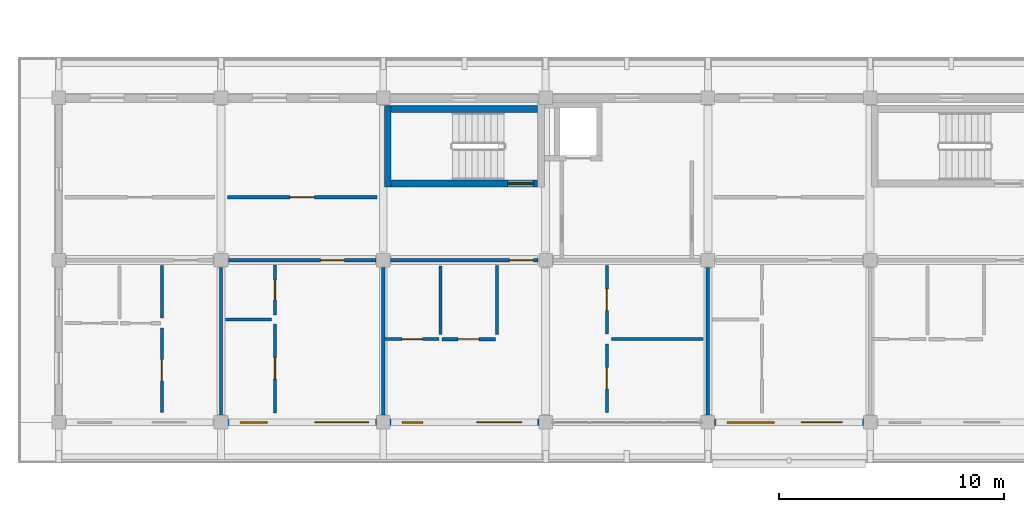
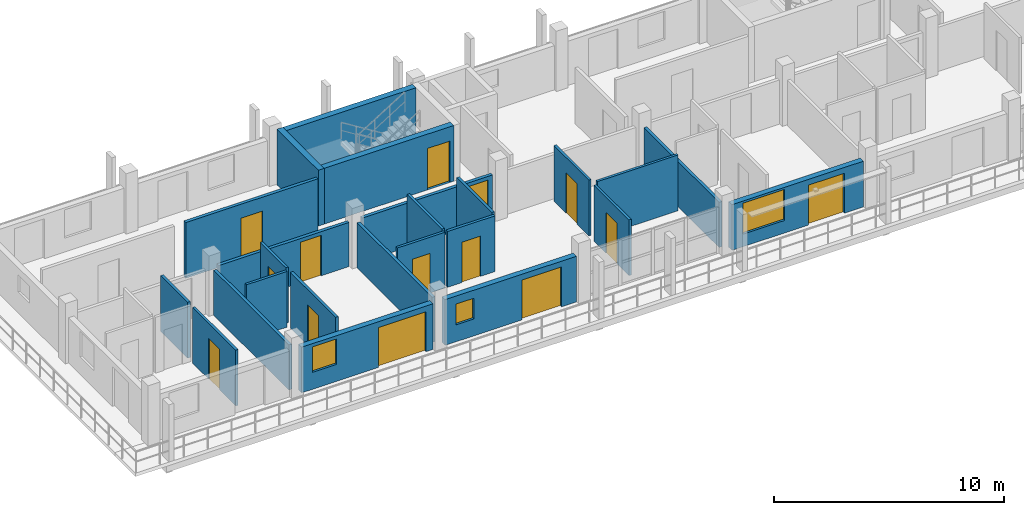
# One storey, part 128 of 157: 24 walls, 14 doors, 3 windows, 17 openings.
"""IFC4 building model written with IfcOpenShell, lengths in metres."""

from ifc_helpers import new_model, si_unit, direction, frame, frame_2d, origin, place, context, subcontext, project, spatial, rectangle, extrude, material, layer, layer_set, type_object, element, fill, save


model = new_model("IFC4")

# Units and contexts
model_context = context("Model", 3, precision=1e-05, world=origin(), true_north=direction((0.0, 1.0)))
body_context = subcontext(model_context, "Body", "Model", "MODEL_VIEW")
ifc_project = project(units=[si_unit("LENGTHUNIT", "METRE"), si_unit("AREAUNIT", "SQUARE_METRE"), si_unit("VOLUMEUNIT", "CUBIC_METRE"), si_unit("PLANEANGLEUNIT", "RADIAN"), si_unit("MASSUNIT", "GRAM", prefix="KILO")], contexts=[model_context])

# Site, building, storey
site_placement = place(None, origin())
site = spatial("IfcSite", under=ifc_project, at=site_placement, CompositionType="ELEMENT")
building_placement = place(site_placement, origin())
building = spatial("IfcBuilding", under=site, at=building_placement, Name="Suanplinth Sawtooth Commons", CompositionType="ELEMENT")
storey_placement = place(building_placement, frame((0.0, 0.0, 9.0)))
storey = spatial("IfcBuildingStorey", under=building, at=storey_placement, Name="L02", CompositionType="ELEMENT", Elevation=9.0)

# Wall, opening, door
ifc_material_1 = material(Name="Concrete C40/50", Category="concrete")
ifc_layer_1 = layer(ifc_material_1, 0.300048828125, Name="Standard RC stair and lift core wall 300mm")
ifc_layer_set_1 = layer_set([ifc_layer_1], Name="Concrete C40/50")
wall_type_1 = type_object("IfcWallType", Name="W-CR02", PredefinedType="SHEAR", material=ifc_layer_set_1)
wall_1_placement = place(storey_placement, frame((137.14990234375, 10.60009765625, 0.0), z_axis=(0.0, 0.0, 1.0), x_axis=(1.0, 0.0, 0.0)))
wall_1 = element("IfcWall", 1, at=wall_1_placement, inside=storey, type_object=wall_type_1, Name="W-L02-C-C1-STS", PredefinedType="SHEAR", context=body_context, shape_type="SweptSolid", body=[
    extrude(rectangle(XDim=6.5, YDim=0.300048828125, at=frame_2d((3.25, 0.0))), origin(), (0.0, 0.0, 1.0), 2.9599609375),
])
opening_1_placement = place(wall_1_placement, frame((5.169921875, 0.0, 0.0)))
opening_1 = element("IfcOpeningElement", 2, at=opening_1_placement, cuts=wall_1, Name="Opening FD0288", PredefinedType="OPENING", context=body_context, shape_type="SweptSolid", body=[
    extrude(rectangle(XDim=1.14990234375, YDim=2.199951171875, at=frame_2d((0.574951171875, 1.10009765625))), frame((0.0, 0.1650390625, 0.0), z_axis=(0.0, -1.0, 0.0), x_axis=(1.0, 0.0, 0.0)), (0.0, 0.0, 1.0), 0.329833984375),
])
ifc_material_2 = material(Name="Teak hardwood fire-rated door assembly", Category="wood")
door_type_1 = type_object("IfcDoorType", Name="FD-01", OperationType="NOTDEFINED", PredefinedType="DOOR", material=ifc_material_2)
door_1_placement = place(opening_1_placement, origin())
door_1 = element("IfcDoor", 3, at=door_1_placement, inside=storey, type_object=door_type_1, Name="Exit Stair Fire Door FD0288", OperationType="SINGLE_SWING_RIGHT", OverallHeight=2.199951171875, OverallWidth=1.14990234375, PredefinedType="DOOR", context=body_context, shape_type="SweptSolid", body=[
    extrude(rectangle(XDim=1.14990234375, YDim=2.199951171875, at=frame_2d((0.574951171875, 1.10009765625))), frame((0.0, 0.02490234375, 0.0), z_axis=(0.0, -1.0, 0.0), x_axis=(1.0, 0.0, 0.0)), (0.0, 0.0, 1.0), 0.050048828125),
])
fill(opening_1, door_1)

# Walls
wall_2_placement = place(storey_placement, frame((137.14990234375, 13.89990234375, 0.0), z_axis=(0.0, 0.0, 1.0), x_axis=(1.0, 0.0, 0.0)))
element("IfcWall", 4, at=wall_2_placement, inside=storey, type_object=wall_type_1, Name="W-L02-C-C1-STN", PredefinedType="SHEAR", context=body_context, shape_type="SweptSolid", body=[
    extrude(rectangle(XDim=6.5, YDim=0.300048828125, at=frame_2d((3.25, 0.0))), origin(), (0.0, 0.0, 1.0), 2.9599609375),
])
wall_3_placement = place(storey_placement, frame((137.0, 10.449951171875, 0.0), z_axis=(0.0, 0.0, 1.0), x_axis=(0.0, 1.0, 0.0)))
element("IfcWall", 5, at=wall_3_placement, inside=storey, type_object=wall_type_1, Name="W-L02-C-C1-STW", PredefinedType="SHEAR", context=body_context, shape_type="SweptSolid", body=[
    extrude(rectangle(XDim=3.60009765625, YDim=0.300048828125, at=frame_2d((1.800048828125, 0.0))), origin(), (0.0, 0.0, 1.0), 2.9599609375),
])

# Wall, openings, door, window
ifc_material_3 = material(Name="Precast concrete C40/50", Category="concrete")
ifc_layer_2 = layer(ifc_material_3, 0.280029296875, Name="Insulated precast architectural facade wall 280mm")
ifc_layer_set_2 = layer_set([ifc_layer_2], Name="Precast concrete C40/50")
wall_type_2 = type_object("IfcWallType", Name="W-EX01", PredefinedType="ELEMENTEDWALL", material=ifc_layer_set_2)
wall_4_placement = place(storey_placement, frame((129.89990234375, 0.0, 0.0), z_axis=(0.0, 0.0, 1.0), x_axis=(1.0, 0.0, 0.0)))
wall_4 = element("IfcWall", 6, at=wall_4_placement, inside=storey, type_object=wall_type_2, Name="Facade Wall W-L02-C-S-18-0", PredefinedType="ELEMENTEDWALL", context=body_context, shape_type="SweptSolid", body=[
    extrude(rectangle(XDim=6.60009765625, YDim=0.280029296875, at=frame_2d((3.300048828125, 0.0))), origin(), (0.0, 0.0, 1.0), 2.425048828125),
])
opening_2_placement = place(wall_4_placement, frame((3.85009765625, 0.0, 0.0)))
opening_2 = element("IfcOpeningElement", 7, at=opening_2_placement, cuts=wall_4, Name="Opening ED0180", PredefinedType="OPENING", context=body_context, shape_type="SweptSolid", body=[
    extrude(rectangle(XDim=2.39990234375, YDim=2.1201171875, at=frame_2d((1.199951171875, 1.06005859375))), frame((0.0, 0.15478515625, 0.0), z_axis=(0.0, -1.0, 0.0), x_axis=(1.0, 0.0, 0.0)), (0.0, 0.0, 1.0), 0.309814453125),
])
opening_3_placement = place(wall_4_placement, frame((0.550048828125, 0.0, 0.89990234375)))
opening_3 = element("IfcOpeningElement", 8, at=opening_3_placement, cuts=wall_4, Name="Opening W0294", PredefinedType="OPENING", context=body_context, shape_type="SweptSolid", body=[
    extrude(rectangle(XDim=1.199951171875, YDim=1.35009765625, at=frame_2d((0.60009765625, 0.675048828125))), frame((0.0, 0.15478515625, 0.0), z_axis=(0.0, -1.0, 0.0), x_axis=(1.0, 0.0, 0.0)), (0.0, 0.0, 1.0), 0.309814453125),
])
ifc_material_4 = material(Name="Anodized aluminium and low-E glass", Category="aluminium")
door_type_2 = type_object("IfcDoorType", Name="SD-04", OperationType="DOUBLE_DOOR_SLIDING", PredefinedType="DOOR", material=ifc_material_4)
door_2_placement = place(opening_2_placement, frame((2.39990234375, 0.0, 0.0), z_axis=(0.0, 0.0, 1.0), x_axis=(-1.0, 0.0, 0.0)))
door_2 = element("IfcDoor", 9, at=door_2_placement, inside=storey, type_object=door_type_2, Name="Balcony Sliding Door L02-C-18", OperationType="DOUBLE_DOOR_SLIDING", OverallHeight=2.1201171875, OverallWidth=2.39990234375, PredefinedType="DOOR", context=body_context, shape_type="SweptSolid", body=[
    extrude(rectangle(XDim=2.39990234375, YDim=2.1201171875, at=frame_2d((1.199951171875, 1.06005859375))), frame((0.0, 0.02490234375, 0.0), z_axis=(0.0, -1.0, 0.0), x_axis=(1.0, 0.0, 0.0)), (0.0, 0.0, 1.0), 0.050048828125),
])
fill(opening_2, door_2)
ifc_material_5 = material(Name="Thermally broken aluminium and low-E double glazing", Category="aluminium")
window_type_1 = type_object("IfcWindowType", Name="WN-03", PartitioningType="SINGLE_PANEL", PredefinedType="WINDOW", material=ifc_material_5)
window_1_placement = place(opening_3_placement, origin())
window_1 = element("IfcWindow", 10, at=window_1_placement, inside=storey, type_object=window_type_1, Name="Apartment Window L02-C-18", OverallHeight=1.35009765625, OverallWidth=1.199951171875, PartitioningType="SINGLE_PANEL", PredefinedType="WINDOW", context=body_context, shape_type="SweptSolid", body=[
    extrude(rectangle(XDim=1.199951171875, YDim=1.35009765625, at=frame_2d((0.60009765625, 0.675048828125))), frame((0.0, 0.030029296875, 0.0), z_axis=(0.0, -1.0, 0.0), x_axis=(1.0, 0.0, 0.0)), (0.0, 0.0, 1.0), 0.06005859375),
])
fill(opening_3, window_1)

wall_5_placement = place(storey_placement, frame((137.10009765625, 0.0, 0.0), z_axis=(0.0, 0.0, 1.0), x_axis=(1.0, 0.0, 0.0)))
wall_5 = element("IfcWall", 11, at=wall_5_placement, inside=storey, type_object=wall_type_2, Name="Facade Wall W-L02-C-S-19-0", PredefinedType="ELEMENTEDWALL", context=body_context, shape_type="SweptSolid", body=[
    extrude(rectangle(XDim=6.599853515625, YDim=0.280029296875, at=frame_2d((3.2998046875, 0.0))), origin(), (0.0, 0.0, 1.0), 2.425048828125),
])
opening_4_placement = place(wall_5_placement, frame((3.85009765625, 0.0, 0.0)))
opening_4 = element("IfcOpeningElement", 12, at=opening_4_placement, cuts=wall_5, Name="Opening ED0182", PredefinedType="OPENING", context=body_context, shape_type="SweptSolid", body=[
    extrude(rectangle(XDim=2.0, YDim=2.1201171875, at=frame_2d((1.0, 1.06005859375))), frame((0.0, 0.15478515625, 0.0), z_axis=(0.0, -1.0, 0.0), x_axis=(1.0, 0.0, 0.0)), (0.0, 0.0, 1.0), 0.309814453125),
])
opening_5_placement = place(wall_5_placement, frame((0.550048828125, 0.0, 0.89990234375)))
opening_5 = element("IfcOpeningElement", 13, at=opening_5_placement, cuts=wall_5, Name="Opening W0296", PredefinedType="OPENING", context=body_context, shape_type="SweptSolid", body=[
    extrude(rectangle(XDim=0.89990234375, YDim=1.10009765625, at=frame_2d((0.449951171875, 0.550048828125))), frame((0.0, 0.15478515625, 0.0), z_axis=(0.0, -1.0, 0.0), x_axis=(1.0, 0.0, 0.0)), (0.0, 0.0, 1.0), 0.309814453125),
])
door_type_3 = type_object("IfcDoorType", Name="SD-06", OperationType="DOUBLE_DOOR_SLIDING", PredefinedType="DOOR", material=ifc_material_4)
door_3_placement = place(opening_4_placement, frame((2.0, 0.0, 0.0), z_axis=(0.0, 0.0, 1.0), x_axis=(-1.0, 0.0, 0.0)))
door_3 = element("IfcDoor", 14, at=door_3_placement, inside=storey, type_object=door_type_3, Name="Balcony Sliding Door L02-C-19", OperationType="DOUBLE_DOOR_SLIDING", OverallHeight=2.1201171875, OverallWidth=2.0, PredefinedType="DOOR", context=body_context, shape_type="SweptSolid", body=[
    extrude(rectangle(XDim=2.0, YDim=2.1201171875, at=frame_2d((1.0, 1.06005859375))), frame((0.0, 0.02490234375, 0.0), z_axis=(0.0, -1.0, 0.0), x_axis=(1.0, 0.0, 0.0)), (0.0, 0.0, 1.0), 0.050048828125),
])
fill(opening_4, door_3)
window_type_2 = type_object("IfcWindowType", Name="WN-04", PartitioningType="SINGLE_PANEL", PredefinedType="WINDOW", material=ifc_material_5)
window_2_placement = place(opening_5_placement, origin())
window_2 = element("IfcWindow", 15, at=window_2_placement, inside=storey, type_object=window_type_2, Name="Apartment Window L02-C-19", OverallHeight=1.10009765625, OverallWidth=0.89990234375, PartitioningType="SINGLE_PANEL", PredefinedType="WINDOW", context=body_context, shape_type="SweptSolid", body=[
    extrude(rectangle(XDim=0.89990234375, YDim=1.10009765625, at=frame_2d((0.449951171875, 0.550048828125))), frame((0.0, 0.030029296875, 0.0), z_axis=(0.0, -1.0, 0.0), x_axis=(1.0, 0.0, 0.0)), (0.0, 0.0, 1.0), 0.06005859375),
])
fill(opening_5, window_2)

wall_6_placement = place(storey_placement, frame((151.5, 0.0, 0.0), z_axis=(0.0, 0.0, 1.0), x_axis=(1.0, 0.0, 0.0)))
wall_6 = element("IfcWall", 16, at=wall_6_placement, inside=storey, type_object=wall_type_2, Name="Facade Wall W-L02-C-S-21-0", PredefinedType="ELEMENTEDWALL", context=body_context, shape_type="SweptSolid", body=[
    extrude(rectangle(XDim=6.60009765625, YDim=0.280029296875, at=frame_2d((3.300048828125, 0.0))), origin(), (0.0, 0.0, 1.0), 2.425048828125),
])
opening_6_placement = place(wall_6_placement, frame((3.85009765625, 0.0, 0.0)))
opening_6 = element("IfcOpeningElement", 17, at=opening_6_placement, cuts=wall_6, Name="Opening ED0183", PredefinedType="OPENING", context=body_context, shape_type="SweptSolid", body=[
    extrude(rectangle(XDim=1.800048828125, YDim=2.1201171875, at=frame_2d((0.89990234375, 1.06005859375))), frame((0.0, 0.15478515625, 0.0), z_axis=(0.0, -1.0, 0.0), x_axis=(1.0, 0.0, 0.0)), (0.0, 0.0, 1.0), 0.309814453125),
])
opening_7_placement = place(wall_6_placement, frame((0.550048828125, 0.0, 0.6650390625)))
opening_7 = element("IfcOpeningElement", 18, at=opening_7_placement, cuts=wall_6, Name="Opening W0299", PredefinedType="OPENING", context=body_context, shape_type="SweptSolid", body=[
    extrude(rectangle(XDim=2.10009765625, YDim=1.64990234375, at=frame_2d((1.050048828125, 0.824951171875))), frame((0.0, 0.15478515625, 0.0), z_axis=(0.0, -1.0, 0.0), x_axis=(1.0, 0.0, 0.0)), (0.0, 0.0, 1.0), 0.309814453125),
])
door_type_4 = type_object("IfcDoorType", Name="SD-01", OperationType="SLIDING_TO_LEFT", PredefinedType="DOOR", material=ifc_material_4)
door_4_placement = place(opening_6_placement, frame((1.800048828125, 0.0, 0.0), z_axis=(0.0, 0.0, 1.0), x_axis=(-1.0, 0.0, 0.0)))
door_4 = element("IfcDoor", 19, at=door_4_placement, inside=storey, type_object=door_type_4, Name="Balcony Sliding Door L02-C-21", OperationType="SLIDING_TO_LEFT", OverallHeight=2.1201171875, OverallWidth=1.800048828125, PredefinedType="DOOR", context=body_context, shape_type="SweptSolid", body=[
    extrude(rectangle(XDim=1.800048828125, YDim=2.1201171875, at=frame_2d((0.89990234375, 1.06005859375))), frame((0.0, 0.02490234375, 0.0), z_axis=(0.0, -1.0, 0.0), x_axis=(1.0, 0.0, 0.0)), (0.0, 0.0, 1.0), 0.050048828125),
])
fill(opening_6, door_4)
window_type_3 = type_object("IfcWindowType", Name="WN-06", PartitioningType="DOUBLE_PANEL_VERTICAL", PredefinedType="WINDOW", material=ifc_material_5)
window_3_placement = place(opening_7_placement, origin())
window_3 = element("IfcWindow", 20, at=window_3_placement, inside=storey, type_object=window_type_3, Name="Apartment Window L02-C-21", OverallHeight=1.64990234375, OverallWidth=2.10009765625, PartitioningType="DOUBLE_PANEL_VERTICAL", PredefinedType="WINDOW", context=body_context, shape_type="SweptSolid", body=[
    extrude(rectangle(XDim=2.10009765625, YDim=1.64990234375, at=frame_2d((1.050048828125, 0.824951171875))), frame((0.0, 0.030029296875, 0.0), z_axis=(0.0, -1.0, 0.0), x_axis=(1.0, 0.0, 0.0)), (0.0, 0.0, 1.0), 0.06005859375),
])
fill(opening_7, window_3)

# Wall, opening, door
ifc_layer_3 = layer(ifc_material_3, 0.159912109375, Name="Fire-rated corridor and lobby wall 160mm")
ifc_layer_set_3 = layer_set([ifc_layer_3], Name="Precast concrete C40/50")
wall_type_3 = type_object("IfcWallType", Name="W-FW01", PredefinedType="PARTITIONING", material=ifc_layer_set_3)
wall_7_placement = place(storey_placement, frame((129.929931640625, 7.199951171875, 0.0), z_axis=(0.0, 0.0, 1.0), x_axis=(1.0, 0.0, 0.0)))
wall_7 = element("IfcWall", 21, at=wall_7_placement, inside=storey, type_object=wall_type_3, Name="W-C-L02-U02-COR", PredefinedType="PARTITIONING", context=body_context, shape_type="SweptSolid", body=[
    extrude(rectangle(XDim=6.5400390625, YDim=0.159912109375, at=frame_2d((3.27001953125, 0.0))), origin(), (0.0, 0.0, 1.0), 2.344970703125),
])
opening_8_placement = place(wall_7_placement, frame((4.094970703125, 0.0, 0.0)))
opening_8 = element("IfcOpeningElement", 22, at=opening_8_placement, cuts=wall_7, Name="Opening FD0791", PredefinedType="OPENING", context=body_context, shape_type="SweptSolid", body=[
    extrude(rectangle(XDim=1.050048828125, YDim=2.14990234375, at=frame_2d((0.52490234375, 1.074951171875))), frame((0.0, 0.0947265625, 0.0), z_axis=(0.0, -1.0, 0.0), x_axis=(1.0, 0.0, 0.0)), (0.0, 0.0, 1.0), 0.189697265625),
])
door_type_5 = type_object("IfcDoorType", Name="FD-04", OperationType="NOTDEFINED", PredefinedType="DOOR", material=ifc_material_2)
door_5_placement = place(opening_8_placement, frame((1.050048828125, 0.0, 0.0), z_axis=(0.0, 0.0, 1.0), x_axis=(-1.0, 0.0, 0.0)))
door_5 = element("IfcDoor", 23, at=door_5_placement, inside=storey, type_object=door_type_5, Name="Unit Entrance Door FD0791", OperationType="SINGLE_SWING_LEFT", OverallHeight=2.14990234375, OverallWidth=1.050048828125, PredefinedType="DOOR", context=body_context, shape_type="SweptSolid", body=[
    extrude(rectangle(XDim=1.050048828125, YDim=2.14990234375, at=frame_2d((0.52490234375, 1.074951171875))), frame((0.0, 0.02490234375, 0.0), z_axis=(0.0, -1.0, 0.0), x_axis=(1.0, 0.0, 0.0)), (0.0, 0.0, 1.0), 0.050048828125),
])
fill(opening_8, door_5)

wall_8_placement = place(storey_placement, frame((137.1298828125, 7.199951171875, 0.0), z_axis=(0.0, 0.0, 1.0), x_axis=(1.0, 0.0, 0.0)))
wall_8 = element("IfcWall", 24, at=wall_8_placement, inside=storey, type_object=wall_type_3, Name="W-C-L02-U03-COR-S1", PredefinedType="PARTITIONING", context=body_context, shape_type="SweptSolid", body=[
    extrude(rectangle(XDim=6.5400390625, YDim=0.159912109375, at=frame_2d((3.27001953125, 0.0))), origin(), (0.0, 0.0, 1.0), 2.344970703125),
])
opening_9_placement = place(wall_8_placement, frame((5.27490234375, 0.0, 0.0)))
opening_9 = element("IfcOpeningElement", 25, at=opening_9_placement, cuts=wall_8, Name="Opening FD0794", PredefinedType="OPENING", context=body_context, shape_type="SweptSolid", body=[
    extrude(rectangle(XDim=1.050048828125, YDim=2.14990234375, at=frame_2d((0.52490234375, 1.074951171875))), frame((0.0, 0.0947265625, 0.0), z_axis=(0.0, -1.0, 0.0), x_axis=(1.0, 0.0, 0.0)), (0.0, 0.0, 1.0), 0.189697265625),
])
door_6_placement = place(opening_9_placement, frame((1.050048828125, 0.0, 0.0), z_axis=(0.0, 0.0, 1.0), x_axis=(-1.0, 0.0, 0.0)))
door_6 = element("IfcDoor", 26, at=door_6_placement, inside=storey, type_object=door_type_5, Name="Unit Entrance Door FD0794", OperationType="SINGLE_SWING_RIGHT", OverallHeight=2.14990234375, OverallWidth=1.050048828125, PredefinedType="DOOR", context=body_context, shape_type="SweptSolid", body=[
    extrude(rectangle(XDim=1.050048828125, YDim=2.14990234375, at=frame_2d((0.52490234375, 1.074951171875))), frame((0.0, 0.02490234375, 0.0), z_axis=(0.0, -1.0, 0.0), x_axis=(1.0, 0.0, 0.0)), (0.0, 0.0, 1.0), 0.050048828125),
])
fill(opening_9, door_6)

wall_9_placement = place(storey_placement, frame((129.8798828125, 9.97998046875, 0.0), z_axis=(0.0, 0.0, 1.0), x_axis=(1.0, 0.0, 0.0)))
wall_9 = element("IfcWall", 27, at=wall_9_placement, inside=storey, type_object=wall_type_3, Name="W-C-L02-COURTROOM-50-COR", PredefinedType="PARTITIONING", context=body_context, shape_type="SweptSolid", body=[
    extrude(rectangle(XDim=6.64013671875, YDim=0.159912109375, at=frame_2d((3.320068359375, 0.0))), origin(), (0.0, 0.0, 1.0), 2.9599609375),
])
opening_10_placement = place(wall_9_placement, frame((2.780029296875, 0.0, 0.0)))
opening_10 = element("IfcOpeningElement", 28, at=opening_10_placement, cuts=wall_9, Name="Opening D0815", PredefinedType="OPENING", context=body_context, shape_type="SweptSolid", body=[
    extrude(rectangle(XDim=1.080078125, YDim=2.219970703125, at=frame_2d((0.5400390625, 1.10986328125))), frame((0.0, 0.0947265625, 0.0), z_axis=(0.0, -1.0, 0.0), x_axis=(1.0, 0.0, 0.0)), (0.0, 0.0, 1.0), 0.189697265625),
])
ifc_material_6 = material(Name="Teak hardwood", Category="wood")
door_type_6 = type_object("IfcDoorType", Name="D-17", OperationType="NOTDEFINED", PredefinedType="DOOR", material=ifc_material_6)
door_7_placement = place(opening_10_placement, origin())
door_7 = element("IfcDoor", 29, at=door_7_placement, inside=storey, type_object=door_type_6, Name="Study Studio Door D0815", OperationType="SINGLE_SWING_LEFT", OverallHeight=2.219970703125, OverallWidth=1.080078125, PredefinedType="DOOR", context=body_context, shape_type="SweptSolid", body=[
    extrude(rectangle(XDim=1.080078125, YDim=2.219970703125, at=frame_2d((0.5400390625, 1.10986328125))), frame((0.0, 0.02490234375, 0.0), z_axis=(0.0, -1.0, 0.0), x_axis=(1.0, 0.0, 0.0)), (0.0, 0.0, 1.0), 0.050048828125),
])
fill(opening_10, door_7)

# Walls
ifc_layer_4 = layer(ifc_material_3, 0.14990234375, Name="Acoustic precast party demising wall 150mm")
ifc_layer_set_4 = layer_set([ifc_layer_4], Name="Precast concrete C40/50")
wall_type_4 = type_object("IfcWallType", Name="W-FW02", PredefinedType="PARTITIONING", material=ifc_layer_set_4)
for number, where, z_axis, x_axis, name in (
    (30, (129.60009765625, 0.330078125, 0.0), (0.0, 0.0, 1.0), (0.0, 1.0, 0.0), "W-C-L02-U01-PTY"),
    (31, (136.800048828125, 0.330078125, 0.0), (0.0, 0.0, 1.0), (0.0, 1.0, 0.0), "W-C-L02-U02-PTY"),
    (32, (151.199951171875, 0.330078125, 0.0), (0.0, 0.0, 1.0), (0.0, 1.0, 0.0), "W-C-L02-U03-PTY"),
):
    element("IfcWall", number, at=place(storey_placement, frame(where, z_axis=z_axis, x_axis=x_axis)), inside=storey, type_object=wall_type_4, Name=name, PredefinedType="PARTITIONING", context=body_context, shape_type="SweptSolid", body=[
        extrude(rectangle(XDim=6.5400390625, YDim=0.14990234375, at=frame_2d((3.27001953125, 0.0))), origin(), (0.0, 0.0, 1.0), 2.39501953125),
    ])
ifc_material_7 = material(Name="Gypsum plasterboard on steel stud", Category="steel")
ifc_layer_5 = layer(ifc_material_7, 0.139892578125, Name="Fire-rated kitchen partition 140mm")
ifc_layer_set_5 = layer_set([ifc_layer_5], Name="Gypsum plasterboard on steel stud")
wall_type_5 = type_object("IfcWallType", Name="W-PT01", PredefinedType="PARTITIONING", material=ifc_layer_set_5)
wall_10_placement = place(storey_placement, frame((126.989990234375, 4.6201171875, 0.0), z_axis=(0.0, 0.0, 1.0), x_axis=(0.0, 1.0, 0.0)))
element("IfcWall", 33, at=wall_10_placement, inside=storey, type_object=wall_type_5, Name="W-C-L02-U01-KIT2", PredefinedType="PARTITIONING", context=body_context, shape_type="SweptSolid", body=[
    extrude(rectangle(XDim=2.349853515625, YDim=0.139892578125, at=frame_2d((1.1748046875, 0.0))), origin(), (0.0, 0.0, 1.0), 2.9599609375),
])

# Wall, opening, door
wall_11_placement = place(storey_placement, frame((131.9951171875, 0.419921875, 0.0), z_axis=(0.0, 0.0, 1.0), x_axis=(0.0, 1.0, 0.0)))
wall_11 = element("IfcWall", 34, at=wall_11_placement, inside=storey, type_object=wall_type_5, Name="W-C-L02-U02-KITE", PredefinedType="PARTITIONING", context=body_context, shape_type="SweptSolid", body=[
    extrude(rectangle(XDim=3.940185546875, YDim=0.139892578125, at=frame_2d((1.97021484375, 0.0))), origin(), (0.0, 0.0, 1.0), 2.9599609375),
])
opening_11_placement = place(wall_11_placement, frame((1.5048828125, 0.0, 0.0)))
opening_11 = element("IfcOpeningElement", 35, at=opening_11_placement, cuts=wall_11, Name="Opening D0793", PredefinedType="OPENING", context=body_context, shape_type="SweptSolid", body=[
    extrude(rectangle(XDim=0.929931640625, YDim=2.139892578125, at=frame_2d((0.46484375, 1.06982421875))), frame((0.0, 0.0849609375, 0.0), z_axis=(0.0, -1.0, 0.0), x_axis=(1.0, 0.0, 0.0)), (0.0, 0.0, 1.0), 0.169677734375),
])
door_type_7 = type_object("IfcDoorType", Name="D-19", OperationType="NOTDEFINED", PredefinedType="DOOR", material=ifc_material_6)
door_8_placement = place(opening_11_placement, origin())
door_8 = element("IfcDoor", 36, at=door_8_placement, inside=storey, type_object=door_type_7, Name="Kitchen Door D0793", OperationType="SINGLE_SWING_LEFT", OverallHeight=2.139892578125, OverallWidth=0.929931640625, PredefinedType="DOOR", context=body_context, shape_type="SweptSolid", body=[
    extrude(rectangle(XDim=0.929931640625, YDim=2.139892578125, at=frame_2d((0.46484375, 1.06982421875))), frame((0.0, 0.02490234375, 0.0), z_axis=(0.0, -1.0, 0.0), x_axis=(1.0, 0.0, 0.0)), (0.0, 0.0, 1.0), 0.050048828125),
])
fill(opening_11, door_8)

wall_12_placement = place(storey_placement, frame((139.39990234375, 3.68994140625, 0.0), z_axis=(0.0, 0.0, 1.0), x_axis=(1.0, 0.0, 0.0)))
wall_12 = element("IfcWall", 37, at=wall_12_placement, inside=storey, type_object=wall_type_5, Name="W-C-L02-U03-KIT1", PredefinedType="PARTITIONING", context=body_context, shape_type="SweptSolid", body=[
    extrude(rectangle(XDim=2.380126953125, YDim=0.139892578125, at=frame_2d((1.18994140625, 0.0))), origin(), (0.0, 0.0, 1.0), 2.9599609375),
])
opening_12_placement = place(wall_12_placement, frame((0.72509765625, 0.0, 0.0)))
opening_12 = element("IfcOpeningElement", 38, at=opening_12_placement, cuts=wall_12, Name="Opening D0796", PredefinedType="OPENING", context=body_context, shape_type="SweptSolid", body=[
    extrude(rectangle(XDim=0.929931640625, YDim=2.139892578125, at=frame_2d((0.46484375, 1.06982421875))), frame((0.0, 0.0849609375, 0.0), z_axis=(0.0, -1.0, 0.0), x_axis=(1.0, 0.0, 0.0)), (0.0, 0.0, 1.0), 0.169677734375),
])
door_9_placement = place(opening_12_placement, origin())
door_9 = element("IfcDoor", 39, at=door_9_placement, inside=storey, type_object=door_type_7, Name="Kitchen Door D0796", OperationType="SINGLE_SWING_RIGHT", OverallHeight=2.139892578125, OverallWidth=0.929931640625, PredefinedType="DOOR", context=body_context, shape_type="SweptSolid", body=[
    extrude(rectangle(XDim=0.929931640625, YDim=2.139892578125, at=frame_2d((0.46484375, 1.06982421875))), frame((0.0, 0.02490234375, 0.0), z_axis=(0.0, -1.0, 0.0), x_axis=(1.0, 0.0, 0.0)), (0.0, 0.0, 1.0), 0.050048828125),
])
fill(opening_12, door_9)

# Walls
wall_13_placement = place(storey_placement, frame((141.85009765625, 3.909912109375, 0.0), z_axis=(0.0, 0.0, 1.0), x_axis=(0.0, 1.0, 0.0)))
element("IfcWall", 40, at=wall_13_placement, inside=storey, type_object=wall_type_5, Name="W-C-L02-U03-KIT2", PredefinedType="PARTITIONING", context=body_context, shape_type="SweptSolid", body=[
    extrude(rectangle(XDim=3.06005859375, YDim=0.139892578125, at=frame_2d((1.530029296875, 0.0))), origin(), (0.0, 0.0, 1.0), 2.9599609375),
])
ifc_layer_6 = layer(ifc_material_7, 0.1298828125, Name="Moisture-resistant bathroom partition 130mm")
ifc_layer_set_6 = layer_set([ifc_layer_6], Name="Gypsum plasterboard on steel stud")
wall_type_6 = type_object("IfcWallType", Name="W-PT02", PredefinedType="PARTITIONING", material=ifc_layer_set_6)
wall_14_placement = place(storey_placement, frame((129.800048828125, 4.56005859375, 0.0), z_axis=(0.0, 0.0, 1.0), x_axis=(1.0, 0.0, 0.0)))
element("IfcWall", 41, at=wall_14_placement, inside=storey, type_object=wall_type_6, Name="W-C-L02-U02-STDIV", PredefinedType="PARTITIONING", context=body_context, shape_type="SweptSolid", body=[
    extrude(rectangle(XDim=2.050048828125, YDim=0.1298828125, at=frame_2d((1.02490234375, 0.0))), origin(), (0.0, 0.0, 1.0), 2.9599609375),
])

# Wall, opening, door
wall_15_placement = place(storey_placement, frame((131.9951171875, 4.760009765625, 0.0), z_axis=(0.0, 0.0, 1.0), x_axis=(0.0, 1.0, 0.0)))
wall_15 = element("IfcWall", 42, at=wall_15_placement, inside=storey, type_object=wall_type_6, Name="W-C-L02-U02-BTHE", PredefinedType="PARTITIONING", context=body_context, shape_type="SweptSolid", body=[
    extrude(rectangle(XDim=2.219970703125, YDim=0.1298828125, at=frame_2d((1.10986328125, 0.0))), origin(), (0.0, 0.0, 1.0), 2.9599609375),
])
opening_13_placement = place(wall_15_placement, frame((0.669921875, 0.0, 0.0)))
opening_13 = element("IfcOpeningElement", 43, at=opening_13_placement, cuts=wall_15, Name="Opening D0792", PredefinedType="OPENING", context=body_context, shape_type="SweptSolid", body=[
    extrude(rectangle(XDim=0.8798828125, YDim=2.10009765625, at=frame_2d((0.43994140625, 1.050048828125))), frame((0.0, 0.079833984375, 0.0), z_axis=(0.0, -1.0, 0.0), x_axis=(1.0, 0.0, 0.0)), (0.0, 0.0, 1.0), 0.15966796875),
])
door_type_8 = type_object("IfcDoorType", Name="D-14", OperationType="NOTDEFINED", PredefinedType="DOOR", material=ifc_material_6)
door_10_placement = place(opening_13_placement, origin())
door_10 = element("IfcDoor", 44, at=door_10_placement, inside=storey, type_object=door_type_8, Name="Bathroom Door D0792", OperationType="SINGLE_SWING_RIGHT", OverallHeight=2.10009765625, OverallWidth=0.8798828125, PredefinedType="DOOR", context=body_context, shape_type="SweptSolid", body=[
    extrude(rectangle(XDim=0.8798828125, YDim=2.10009765625, at=frame_2d((0.43994140625, 1.050048828125))), frame((0.0, 0.02490234375, 0.0), z_axis=(0.0, -1.0, 0.0), x_axis=(1.0, 0.0, 0.0)), (0.0, 0.0, 1.0), 0.050048828125),
])
fill(opening_13, door_10)

wall_16_placement = place(storey_placement, frame((136.8798828125, 3.695068359375, 0.0), z_axis=(0.0, 0.0, 1.0), x_axis=(1.0, 0.0, 0.0)))
wall_16 = element("IfcWall", 45, at=wall_16_placement, inside=storey, type_object=wall_type_6, Name="W-C-L02-U03-BTH1", PredefinedType="PARTITIONING", context=body_context, shape_type="SweptSolid", body=[
    extrude(rectangle(XDim=2.400146484375, YDim=0.1298828125, at=frame_2d((1.2001953125, 0.0))), origin(), (0.0, 0.0, 1.0), 2.9599609375),
])
opening_14_placement = place(wall_16_placement, frame((0.75, 0.0, 0.0)))
opening_14 = element("IfcOpeningElement", 46, at=opening_14_placement, cuts=wall_16, Name="Opening D0795", PredefinedType="OPENING", context=body_context, shape_type="SweptSolid", body=[
    extrude(rectangle(XDim=0.89990234375, YDim=2.10009765625, at=frame_2d((0.449951171875, 1.050048828125))), frame((0.0, 0.079833984375, 0.0), z_axis=(0.0, -1.0, 0.0), x_axis=(1.0, 0.0, 0.0)), (0.0, 0.0, 1.0), 0.15966796875),
])
door_type_9 = type_object("IfcDoorType", Name="D-01", OperationType="NOTDEFINED", PredefinedType="DOOR", material=ifc_material_6)
door_11_placement = place(opening_14_placement, origin())
door_11 = element("IfcDoor", 47, at=door_11_placement, inside=storey, type_object=door_type_9, Name="Bathroom Door D0795", OperationType="SINGLE_SWING_LEFT", OverallHeight=2.10009765625, OverallWidth=0.89990234375, PredefinedType="DOOR", context=body_context, shape_type="SweptSolid", body=[
    extrude(rectangle(XDim=0.89990234375, YDim=2.10009765625, at=frame_2d((0.449951171875, 1.050048828125))), frame((0.0, 0.02490234375, 0.0), z_axis=(0.0, -1.0, 0.0), x_axis=(1.0, 0.0, 0.0)), (0.0, 0.0, 1.0), 0.050048828125),
])
fill(opening_14, door_11)

# Wall
wall_17_placement = place(storey_placement, frame((139.344970703125, 3.89990234375, 0.0), z_axis=(0.0, 0.0, 1.0), x_axis=(0.0, 1.0, 0.0)))
element("IfcWall", 48, at=wall_17_placement, inside=storey, type_object=wall_type_6, Name="W-C-L02-U03-BTH2", PredefinedType="PARTITIONING", context=body_context, shape_type="SweptSolid", body=[
    extrude(rectangle(XDim=3.0400390625, YDim=0.1298828125, at=frame_2d((1.52001953125, 0.0))), origin(), (0.0, 0.0, 1.0), 2.9599609375),
])

# Wall, opening, door
ifc_layer_7 = layer(ifc_material_7, 0.1201171875, Name="Acoustic bedroom partition 120mm")
ifc_layer_set_7 = layer_set([ifc_layer_7], Name="Gypsum plasterboard on steel stud")
wall_type_7 = type_object("IfcWallType", Name="W-PT03", PredefinedType="PARTITIONING", material=ifc_layer_set_7)
wall_18_placement = place(storey_placement, frame((126.97998046875, 0.43994140625, 0.0), z_axis=(0.0, 0.0, 1.0), x_axis=(0.0, 1.0, 0.0)))
wall_18 = element("IfcWall", 49, at=wall_18_placement, inside=storey, type_object=wall_type_7, Name="W-C-L02-U01-BED1", PredefinedType="PARTITIONING", context=body_context, shape_type="SweptSolid", body=[
    extrude(rectangle(XDim=3.75, YDim=0.1201171875, at=frame_2d((1.875, 0.0))), origin(), (0.0, 0.0, 1.0), 2.9599609375),
])
opening_15_placement = place(wall_18_placement, frame((1.39990234375, 0.0, 0.0)))
opening_15 = element("IfcOpeningElement", 50, at=opening_15_placement, cuts=wall_18, Name="Opening D0790", PredefinedType="OPENING", context=body_context, shape_type="SweptSolid", body=[
    extrude(rectangle(XDim=0.949951171875, YDim=2.14990234375, at=frame_2d((0.47509765625, 1.074951171875))), frame((0.0, 0.074951171875, 0.0), z_axis=(0.0, -1.0, 0.0), x_axis=(1.0, 0.0, 0.0)), (0.0, 0.0, 1.0), 0.14990234375),
])
door_type_10 = type_object("IfcDoorType", Name="D-03", OperationType="NOTDEFINED", PredefinedType="DOOR", material=ifc_material_6)
door_12_placement = place(opening_15_placement, origin())
door_12 = element("IfcDoor", 51, at=door_12_placement, inside=storey, type_object=door_type_10, Name="Bedroom Door D0790", OperationType="SINGLE_SWING_RIGHT", OverallHeight=2.14990234375, OverallWidth=0.949951171875, PredefinedType="DOOR", context=body_context, shape_type="SweptSolid", body=[
    extrude(rectangle(XDim=0.949951171875, YDim=2.14990234375, at=frame_2d((0.47509765625, 1.074951171875))), frame((0.0, 0.02490234375, 0.0), z_axis=(0.0, -1.0, 0.0), x_axis=(1.0, 0.0, 0.0)), (0.0, 0.0, 1.0), 0.050048828125),
])
fill(opening_15, door_12)

wall_19_placement = place(storey_placement, frame((146.719970703125, 0.43994140625, 0.0), z_axis=(0.0, 0.0, 1.0), x_axis=(0.0, 1.0, 0.0)))
wall_19 = element("IfcWall", 52, at=wall_19_placement, inside=storey, type_object=wall_type_7, Name="W-C-L02-U03-BED1", PredefinedType="PARTITIONING", context=body_context, shape_type="SweptSolid", body=[
    extrude(rectangle(XDim=3.0400390625, YDim=0.1201171875, at=frame_2d((1.52001953125, 0.0))), origin(), (0.0, 0.0, 1.0), 2.9599609375),
])
opening_16_placement = place(wall_19_placement, frame((1.044921875, 0.0, 0.0)))
opening_16 = element("IfcOpeningElement", 53, at=opening_16_placement, cuts=wall_19, Name="Opening D0797", PredefinedType="OPENING", context=body_context, shape_type="SweptSolid", body=[
    extrude(rectangle(XDim=0.949951171875, YDim=2.14990234375, at=frame_2d((0.47509765625, 1.074951171875))), frame((0.0, 0.074951171875, 0.0), z_axis=(0.0, -1.0, 0.0), x_axis=(1.0, 0.0, 0.0)), (0.0, 0.0, 1.0), 0.14990234375),
])
door_13_placement = place(opening_16_placement, frame((0.949951171875, 0.0, 0.0), z_axis=(0.0, 0.0, 1.0), x_axis=(-1.0, 0.0, 0.0)))
door_13 = element("IfcDoor", 54, at=door_13_placement, inside=storey, type_object=door_type_10, Name="Bedroom Door D0797", OperationType="SINGLE_SWING_LEFT", OverallHeight=2.14990234375, OverallWidth=0.949951171875, PredefinedType="DOOR", context=body_context, shape_type="SweptSolid", body=[
    extrude(rectangle(XDim=0.949951171875, YDim=2.14990234375, at=frame_2d((0.47509765625, 1.074951171875))), frame((0.0, 0.02490234375, 0.0), z_axis=(0.0, -1.0, 0.0), x_axis=(1.0, 0.0, 0.0)), (0.0, 0.0, 1.0), 0.050048828125),
])
fill(opening_16, door_13)

wall_20_placement = place(storey_placement, frame((146.719970703125, 3.919921875, 0.0), z_axis=(0.0, 0.0, 1.0), x_axis=(0.0, 1.0, 0.0)))
wall_20 = element("IfcWall", 55, at=wall_20_placement, inside=storey, type_object=wall_type_7, Name="W-C-L02-U03-BED2", PredefinedType="PARTITIONING", context=body_context, shape_type="SweptSolid", body=[
    extrude(rectangle(XDim=3.0400390625, YDim=0.1201171875, at=frame_2d((1.52001953125, 0.0))), origin(), (0.0, 0.0, 1.0), 2.9599609375),
])
opening_17_placement = place(wall_20_placement, frame((1.0400390625, 0.0, 0.0)))
opening_17 = element("IfcOpeningElement", 56, at=opening_17_placement, cuts=wall_20, Name="Opening D0798", PredefinedType="OPENING", context=body_context, shape_type="SweptSolid", body=[
    extrude(rectangle(XDim=0.9599609375, YDim=2.14990234375, at=frame_2d((0.47998046875, 1.074951171875))), frame((0.0, 0.074951171875, 0.0), z_axis=(0.0, -1.0, 0.0), x_axis=(1.0, 0.0, 0.0)), (0.0, 0.0, 1.0), 0.14990234375),
])
door_type_11 = type_object("IfcDoorType", Name="D-13", OperationType="NOTDEFINED", PredefinedType="DOOR", material=ifc_material_6)
door_14_placement = place(opening_17_placement, frame((0.9599609375, 0.0, 0.0), z_axis=(0.0, 0.0, 1.0), x_axis=(-1.0, 0.0, 0.0)))
door_14 = element("IfcDoor", 57, at=door_14_placement, inside=storey, type_object=door_type_11, Name="Second Bedroom Door D0798", OperationType="SINGLE_SWING_RIGHT", OverallHeight=2.14990234375, OverallWidth=0.9599609375, PredefinedType="DOOR", context=body_context, shape_type="SweptSolid", body=[
    extrude(rectangle(XDim=0.9599609375, YDim=2.14990234375, at=frame_2d((0.47998046875, 1.074951171875))), frame((0.0, 0.02490234375, 0.0), z_axis=(0.0, -1.0, 0.0), x_axis=(1.0, 0.0, 0.0)), (0.0, 0.0, 1.0), 0.050048828125),
])
fill(opening_17, door_14)

# Wall
ifc_layer_8 = layer(ifc_material_7, 0.125, Name="Acoustic study partition 125mm")
ifc_layer_set_8 = layer_set([ifc_layer_8], Name="Gypsum plasterboard on steel stud")
wall_type_8 = type_object("IfcWallType", Name="W-PT06", PredefinedType="PARTITIONING", material=ifc_layer_set_8)
wall_21_placement = place(storey_placement, frame((146.919921875, 3.699951171875, 0.0), z_axis=(0.0, 0.0, 1.0), x_axis=(1.0, 0.0, 0.0)))
element("IfcWall", 58, at=wall_21_placement, inside=storey, type_object=wall_type_8, Name="W-C-L02-U03-BEDDIV", PredefinedType="PARTITIONING", context=body_context, shape_type="SweptSolid", body=[
    extrude(rectangle(XDim=4.06005859375, YDim=0.125, at=frame_2d((2.030029296875, 0.0))), origin(), (0.0, 0.0, 1.0), 2.9599609375),
])

save(model, "model.ifc")
